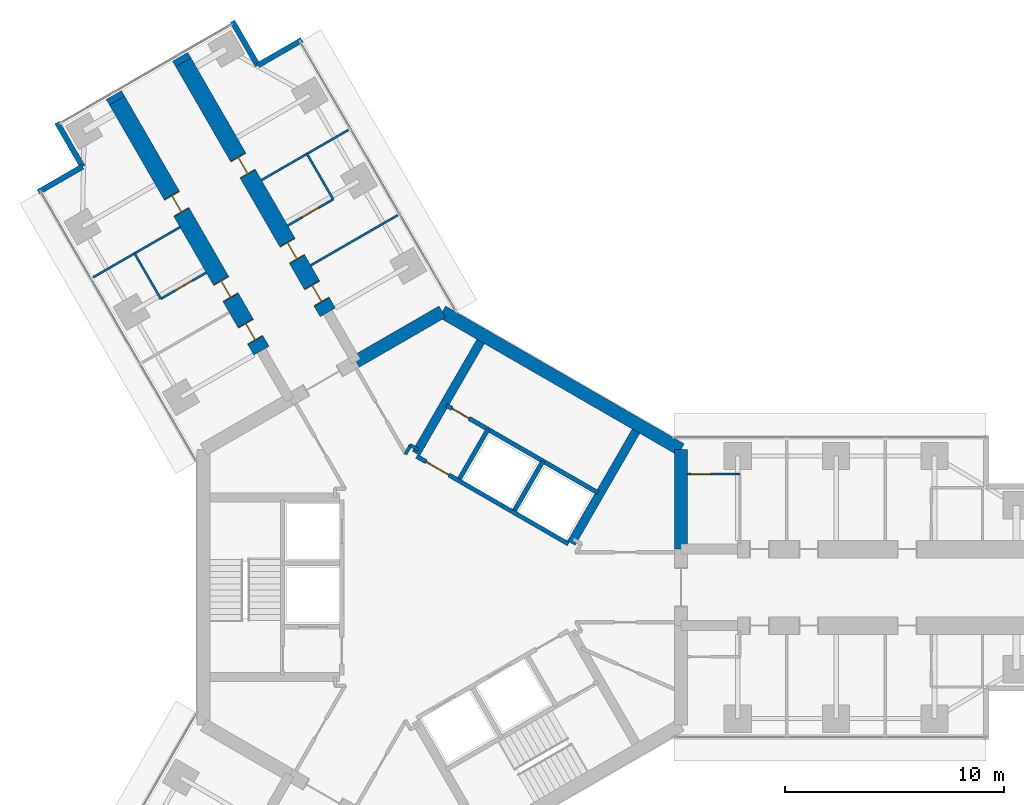
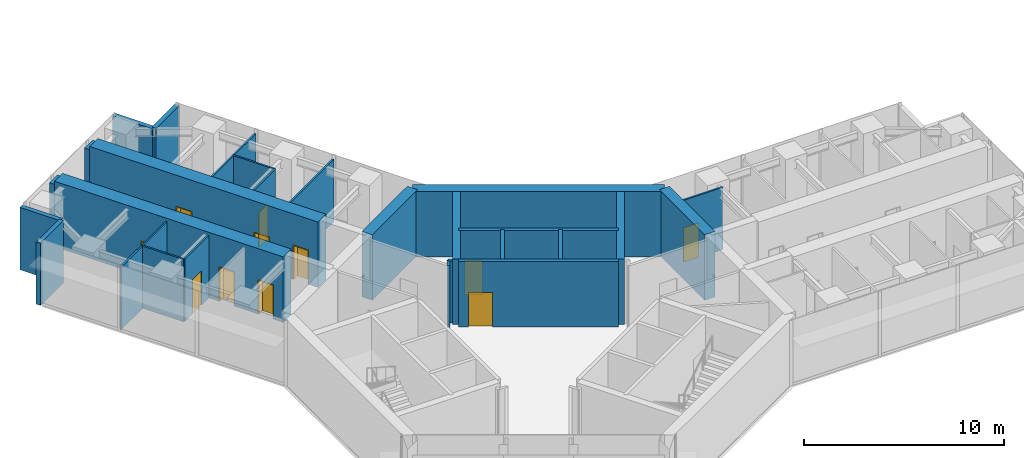
# One storey, part 17 of 23: 27 walls, 11 doors, 11 openings.
"""IFC4 building model written with IfcOpenShell, lengths in metres."""

from ifc_helpers import new_model, si_unit, direction, frame, frame_2d, origin, place, context, subcontext, project, spatial, rectangle, extrude, material, layer, layer_set, type_object, element, fill, save


model = new_model("IFC4")

# Units and contexts
model_context = context("Model", 3, precision=1e-05, world=origin(), true_north=direction((0.0, 1.0)))
body_context = subcontext(model_context, "Body", "Model", "MODEL_VIEW")
ifc_project = project(units=[si_unit("LENGTHUNIT", "METRE"), si_unit("AREAUNIT", "SQUARE_METRE"), si_unit("VOLUMEUNIT", "CUBIC_METRE"), si_unit("PLANEANGLEUNIT", "RADIAN"), si_unit("MASSUNIT", "GRAM", prefix="KILO")], contexts=[model_context])

# Site, building, storey
site_placement = place(None, origin())
site = spatial("IfcSite", under=ifc_project, at=site_placement, CompositionType="ELEMENT")
building_placement = place(site_placement, origin())
building = spatial("IfcBuilding", under=site, at=building_placement, Name="Upepo Twin Towers", CompositionType="ELEMENT")
storey_placement = place(building_placement, frame((0.0, 0.0, 153.5)))
storey = spatial("IfcBuildingStorey", under=building, at=storey_placement, Name="L37", CompositionType="ELEMENT", Elevation=153.5)

# Walls
ifc_material_1 = material(Name="Dense concrete blockwork", Category="masonry")
ifc_layer_1 = layer(ifc_material_1, 0.800048828125)
ifc_layer_set_1 = layer_set([ifc_layer_1], Name="Buttress closer 800, blockwork with fire-stopping to the curtain wall")
wall_type_1 = type_object("IfcWallType", Name="Buttress closer 800, blockwork with fire-stopping to the curtain wall", PredefinedType="PARTITIONING", material=ifc_layer_set_1)
wall_1_placement = place(storey_placement, frame((-14.865478515625, 22.247802734375, 0.0), z_axis=(0.0, 0.0, 1.0), x_axis=(-0.500426713919, 0.865778900179, 0.0)))
element("IfcWall", 1, at=wall_1_placement, inside=storey, type_object=wall_type_1, Name="T1 L37 wing B buttress closer L", PredefinedType="PARTITIONING", context=body_context, shape_type="SweptSolid", body=[
    extrude(rectangle(XDim=0.300048828125, YDim=0.800048828125, at=frame_2d((0.14990234375, 0.0))), origin(), (0.0, 0.0, 1.0), 3.800048828125),
])
wall_2_placement = place(storey_placement, frame((-11.83447265625, 23.997802734375, 0.0), z_axis=(0.0, 0.0, 1.0), x_axis=(-0.499816412211, 0.866131372301, 0.0)))
element("IfcWall", 2, at=wall_2_placement, inside=storey, type_object=wall_type_1, Name="T1 L37 wing B buttress closer R", PredefinedType="PARTITIONING", context=body_context, shape_type="SweptSolid", body=[
    extrude(rectangle(XDim=0.2998046875, YDim=0.800048828125, at=frame_2d((0.14990234375, 0.0))), origin(), (0.0, 0.0, 1.0), 3.800048828125),
])

# Wall, openings, doors
ifc_material_2 = material(Name="Concrete C60/75", Category="concrete")
ifc_layer_2 = layer(ifc_material_2, 0.800048828125)
ifc_layer_set_2 = layer_set([ifc_layer_2], Name="Concrete C60/75")
wall_type_2 = type_object("IfcWallType", Name="Buttress wall 800 RC", PredefinedType="SHEAR", material=ifc_layer_set_2)
wall_3_placement = place(storey_placement, frame((-8.265625, 10.81640625, 0.0), z_axis=(0.0, 0.0, 1.0), x_axis=(-0.499996231654, 0.866027579429, 0.0)))
wall_3 = element("IfcWall", 3, at=wall_3_placement, inside=storey, type_object=wall_type_2, Name="T1 wing B buttress wall L part 2", PredefinedType="SHEAR", context=body_context, shape_type="SweptSolid", body=[
    extrude(rectangle(XDim=13.19970703125, YDim=0.800048828125, at=frame_2d((6.599853515625, 0.0))), origin(), (0.0, 0.0, 1.0), 4.0),
])
opening_1_placement = place(wall_3_placement, frame((0.550048828125, 0.0, 0.0)))
opening_1 = element("IfcOpeningElement", 4, at=opening_1_placement, cuts=wall_3, Name="Opening D14", PredefinedType="OPENING", context=body_context, shape_type="SweptSolid", body=[
    extrude(rectangle(XDim=0.89990234375, YDim=2.10009765625, at=frame_2d((0.449951171875, 1.050048828125))), frame((0.0, 0.409912109375, 0.0), z_axis=(0.0, -1.0, 0.0), x_axis=(1.0, 0.0, 0.0)), (0.0, 0.0, 1.0), 0.820068359375),
])
opening_2_placement = place(wall_3_placement, frame((2.800048828125, 0.0, 0.0)))
opening_2 = element("IfcOpeningElement", 5, at=opening_2_placement, cuts=wall_3, Name="Opening D14", PredefinedType="OPENING", context=body_context, shape_type="SweptSolid", body=[
    extrude(rectangle(XDim=0.89990234375, YDim=2.10009765625, at=frame_2d((0.449951171875, 1.050048828125))), frame((0.0, 0.409912109375, 0.0), z_axis=(0.0, -1.0, 0.0), x_axis=(1.0, 0.0, 0.0)), (0.0, 0.0, 1.0), 0.820068359375),
])
opening_3_placement = place(wall_3_placement, frame((7.300048828125, 0.0, 0.0)))
opening_3 = element("IfcOpeningElement", 6, at=opening_3_placement, cuts=wall_3, Name="Opening D14", PredefinedType="OPENING", context=body_context, shape_type="SweptSolid", body=[
    extrude(rectangle(XDim=0.89990234375, YDim=2.10009765625, at=frame_2d((0.449951171875, 1.050048828125))), frame((0.0, 0.409912109375, 0.0), z_axis=(0.0, -1.0, 0.0), x_axis=(1.0, 0.0, 0.0)), (0.0, 0.0, 1.0), 0.820068359375),
])
ifc_material_3 = material(Name="Timber doorset", Category="wood")
door_type_1 = type_object("IfcDoorType", Name="Office door 900 FD30", OperationType="SINGLE_SWING_LEFT", PredefinedType="DOOR", material=ifc_material_3)
door_1_placement = place(opening_1_placement, origin())
door_1 = element("IfcDoor", 7, at=door_1_placement, inside=storey, type_object=door_type_1, Name="T1 L37 staff office door", OperationType="SINGLE_SWING_LEFT", OverallHeight=2.10009765625, OverallWidth=0.89990234375, PredefinedType="DOOR", context=body_context, shape_type="SweptSolid", body=[
    extrude(rectangle(XDim=0.81990234375, YDim=2.06009765625, at=frame_2d((0.449951171875, 1.030029296875))), frame((0.0, 0.02490234375, 0.0), z_axis=(0.0, -1.0, 0.0), x_axis=(1.0, 0.0, 0.0)), (0.0, 0.0, 1.0), 0.050048828125),
    extrude(rectangle(XDim=0.04, YDim=2.10009765625, at=frame_2d((0.02001953125, 1.050048828125))), frame((0.0, 0.39990234375, 0.0), z_axis=(0.0, -1.0, 0.0), x_axis=(1.0, 0.0, 0.0)), (0.0, 0.0, 1.0), 0.799560546875),
    extrude(rectangle(XDim=0.04, YDim=2.10009765625, at=frame_2d((0.8798828125, 1.050048828125))), frame((0.0, 0.39990234375, 0.0), z_axis=(0.0, -1.0, 0.0), x_axis=(1.0, 0.0, 0.0)), (0.0, 0.0, 1.0), 0.799560546875),
    extrude(rectangle(XDim=0.81990234375, YDim=0.04, at=frame_2d((0.449951171875, 2.080078125))), frame((0.0, 0.39990234375, 0.0), z_axis=(0.0, -1.0, 0.0), x_axis=(1.0, 0.0, 0.0)), (0.0, 0.0, 1.0), 0.799560546875),
])
fill(opening_1, door_1)
door_2_placement = place(opening_2_placement, origin())
door_2 = element("IfcDoor", 8, at=door_2_placement, inside=storey, type_object=door_type_1, Name="T1 L37 postgraduate office door", OperationType="SINGLE_SWING_LEFT", OverallHeight=2.10009765625, OverallWidth=0.89990234375, PredefinedType="DOOR", context=body_context, shape_type="SweptSolid", body=[
    extrude(rectangle(XDim=0.81990234375, YDim=2.06009765625, at=frame_2d((0.449951171875, 1.030029296875))), frame((0.0, 0.02490234375, 0.0), z_axis=(0.0, -1.0, 0.0), x_axis=(1.0, 0.0, 0.0)), (0.0, 0.0, 1.0), 0.050048828125),
    extrude(rectangle(XDim=0.04, YDim=2.10009765625, at=frame_2d((0.02001953125, 1.050048828125))), frame((0.0, 0.39990234375, 0.0), z_axis=(0.0, -1.0, 0.0), x_axis=(1.0, 0.0, 0.0)), (0.0, 0.0, 1.0), 0.799560546875),
    extrude(rectangle(XDim=0.04, YDim=2.10009765625, at=frame_2d((0.8798828125, 1.050048828125))), frame((0.0, 0.39990234375, 0.0), z_axis=(0.0, -1.0, 0.0), x_axis=(1.0, 0.0, 0.0)), (0.0, 0.0, 1.0), 0.799560546875),
    extrude(rectangle(XDim=0.81990234375, YDim=0.04, at=frame_2d((0.449951171875, 2.080078125))), frame((0.0, 0.39990234375, 0.0), z_axis=(0.0, -1.0, 0.0), x_axis=(1.0, 0.0, 0.0)), (0.0, 0.0, 1.0), 0.799560546875),
])
fill(opening_2, door_2)
door_3_placement = place(opening_3_placement, origin())
door_3 = element("IfcDoor", 9, at=door_3_placement, inside=storey, type_object=door_type_1, Name="T1 L37 meeting room door", OperationType="SINGLE_SWING_RIGHT", OverallHeight=2.10009765625, OverallWidth=0.89990234375, PredefinedType="DOOR", context=body_context, shape_type="SweptSolid", body=[
    extrude(rectangle(XDim=0.81990234375, YDim=2.06009765625, at=frame_2d((0.449951171875, 1.030029296875))), frame((0.0, 0.02490234375, 0.0), z_axis=(0.0, -1.0, 0.0), x_axis=(1.0, 0.0, 0.0)), (0.0, 0.0, 1.0), 0.050048828125),
    extrude(rectangle(XDim=0.04, YDim=2.10009765625, at=frame_2d((0.02001953125, 1.050048828125))), frame((0.0, 0.39990234375, 0.0), z_axis=(0.0, -1.0, 0.0), x_axis=(1.0, 0.0, 0.0)), (0.0, 0.0, 1.0), 0.799560546875),
    extrude(rectangle(XDim=0.04, YDim=2.10009765625, at=frame_2d((0.8798828125, 1.050048828125))), frame((0.0, 0.39990234375, 0.0), z_axis=(0.0, -1.0, 0.0), x_axis=(1.0, 0.0, 0.0)), (0.0, 0.0, 1.0), 0.799560546875),
    extrude(rectangle(XDim=0.81990234375, YDim=0.04, at=frame_2d((0.449951171875, 2.080078125))), frame((0.0, 0.39990234375, 0.0), z_axis=(0.0, -1.0, 0.0), x_axis=(1.0, 0.0, 0.0)), (0.0, 0.0, 1.0), 0.799560546875),
])
fill(opening_3, door_3)

wall_4_placement = place(storey_placement, frame((-5.234375, 12.56640625, 0.0), z_axis=(0.0, 0.0, 1.0), x_axis=(-0.500010103361, 0.866019570528, 0.0)))
wall_4 = element("IfcWall", 10, at=wall_4_placement, inside=storey, type_object=wall_type_2, Name="T1 wing B buttress wall R part 2", PredefinedType="SHEAR", context=body_context, shape_type="SweptSolid", body=[
    extrude(rectangle(XDim=13.199951171875, YDim=0.800048828125, at=frame_2d((6.60009765625, 0.0))), origin(), (0.0, 0.0, 1.0), 4.0),
])
opening_4_placement = place(wall_4_placement, frame((0.550048828125, 0.0, 0.0)))
opening_4 = element("IfcOpeningElement", 11, at=opening_4_placement, cuts=wall_4, Name="Opening D14", PredefinedType="OPENING", context=body_context, shape_type="SweptSolid", body=[
    extrude(rectangle(XDim=0.89990234375, YDim=2.10009765625, at=frame_2d((0.449951171875, 1.050048828125))), frame((0.0, 0.409912109375, 0.0), z_axis=(0.0, -1.0, 0.0), x_axis=(1.0, 0.0, 0.0)), (0.0, 0.0, 1.0), 0.820068359375),
])
opening_5_placement = place(wall_4_placement, frame((2.800048828125, 0.0, 0.0)))
opening_5 = element("IfcOpeningElement", 12, at=opening_5_placement, cuts=wall_4, Name="Opening D14", PredefinedType="OPENING", context=body_context, shape_type="SweptSolid", body=[
    extrude(rectangle(XDim=0.89990234375, YDim=2.10009765625, at=frame_2d((0.449951171875, 1.050048828125))), frame((0.0, 0.409912109375, 0.0), z_axis=(0.0, -1.0, 0.0), x_axis=(1.0, 0.0, 0.0)), (0.0, 0.0, 1.0), 0.820068359375),
])
opening_6_placement = place(wall_4_placement, frame((7.300048828125, 0.0, 0.0)))
opening_6 = element("IfcOpeningElement", 13, at=opening_6_placement, cuts=wall_4, Name="Opening D14", PredefinedType="OPENING", context=body_context, shape_type="SweptSolid", body=[
    extrude(rectangle(XDim=0.89990234375, YDim=2.10009765625, at=frame_2d((0.449951171875, 1.050048828125))), frame((0.0, 0.409912109375, 0.0), z_axis=(0.0, -1.0, 0.0), x_axis=(1.0, 0.0, 0.0)), (0.0, 0.0, 1.0), 0.820068359375),
])
door_4_placement = place(opening_4_placement, origin())
door_4 = element("IfcDoor", 14, at=door_4_placement, inside=storey, type_object=door_type_1, Name="T1 L37 staff office door", OperationType="SINGLE_SWING_LEFT", OverallHeight=2.10009765625, OverallWidth=0.89990234375, PredefinedType="DOOR", context=body_context, shape_type="SweptSolid", body=[
    extrude(rectangle(XDim=0.81990234375, YDim=2.06009765625, at=frame_2d((0.449951171875, 1.030029296875))), frame((0.0, 0.02490234375, 0.0), z_axis=(0.0, -1.0, 0.0), x_axis=(1.0, 0.0, 0.0)), (0.0, 0.0, 1.0), 0.050048828125),
    extrude(rectangle(XDim=0.04, YDim=2.10009765625, at=frame_2d((0.02001953125, 1.050048828125))), frame((0.0, 0.39990234375, 0.0), z_axis=(0.0, -1.0, 0.0), x_axis=(1.0, 0.0, 0.0)), (0.0, 0.0, 1.0), 0.799560546875),
    extrude(rectangle(XDim=0.04, YDim=2.10009765625, at=frame_2d((0.8798828125, 1.050048828125))), frame((0.0, 0.39990234375, 0.0), z_axis=(0.0, -1.0, 0.0), x_axis=(1.0, 0.0, 0.0)), (0.0, 0.0, 1.0), 0.799560546875),
    extrude(rectangle(XDim=0.81990234375, YDim=0.04, at=frame_2d((0.449951171875, 2.080078125))), frame((0.0, 0.39990234375, 0.0), z_axis=(0.0, -1.0, 0.0), x_axis=(1.0, 0.0, 0.0)), (0.0, 0.0, 1.0), 0.799560546875),
])
fill(opening_4, door_4)
door_5_placement = place(opening_5_placement, origin())
door_5 = element("IfcDoor", 15, at=door_5_placement, inside=storey, type_object=door_type_1, Name="T1 L37 staff office door", OperationType="SINGLE_SWING_LEFT", OverallHeight=2.10009765625, OverallWidth=0.89990234375, PredefinedType="DOOR", context=body_context, shape_type="SweptSolid", body=[
    extrude(rectangle(XDim=0.81990234375, YDim=2.06009765625, at=frame_2d((0.449951171875, 1.030029296875))), frame((0.0, 0.02490234375, 0.0), z_axis=(0.0, -1.0, 0.0), x_axis=(1.0, 0.0, 0.0)), (0.0, 0.0, 1.0), 0.050048828125),
    extrude(rectangle(XDim=0.04, YDim=2.10009765625, at=frame_2d((0.02001953125, 1.050048828125))), frame((0.0, 0.39990234375, 0.0), z_axis=(0.0, -1.0, 0.0), x_axis=(1.0, 0.0, 0.0)), (0.0, 0.0, 1.0), 0.799560546875),
    extrude(rectangle(XDim=0.04, YDim=2.10009765625, at=frame_2d((0.8798828125, 1.050048828125))), frame((0.0, 0.39990234375, 0.0), z_axis=(0.0, -1.0, 0.0), x_axis=(1.0, 0.0, 0.0)), (0.0, 0.0, 1.0), 0.799560546875),
    extrude(rectangle(XDim=0.81990234375, YDim=0.04, at=frame_2d((0.449951171875, 2.080078125))), frame((0.0, 0.39990234375, 0.0), z_axis=(0.0, -1.0, 0.0), x_axis=(1.0, 0.0, 0.0)), (0.0, 0.0, 1.0), 0.799560546875),
])
fill(opening_5, door_5)
door_6_placement = place(opening_6_placement, origin())
door_6 = element("IfcDoor", 16, at=door_6_placement, inside=storey, type_object=door_type_1, Name="T1 L37 postgraduate office door", OperationType="SINGLE_SWING_RIGHT", OverallHeight=2.10009765625, OverallWidth=0.89990234375, PredefinedType="DOOR", context=body_context, shape_type="SweptSolid", body=[
    extrude(rectangle(XDim=0.81990234375, YDim=2.06009765625, at=frame_2d((0.449951171875, 1.030029296875))), frame((0.0, 0.02490234375, 0.0), z_axis=(0.0, -1.0, 0.0), x_axis=(1.0, 0.0, 0.0)), (0.0, 0.0, 1.0), 0.050048828125),
    extrude(rectangle(XDim=0.04, YDim=2.10009765625, at=frame_2d((0.02001953125, 1.050048828125))), frame((0.0, 0.39990234375, 0.0), z_axis=(0.0, -1.0, 0.0), x_axis=(1.0, 0.0, 0.0)), (0.0, 0.0, 1.0), 0.799560546875),
    extrude(rectangle(XDim=0.04, YDim=2.10009765625, at=frame_2d((0.8798828125, 1.050048828125))), frame((0.0, 0.39990234375, 0.0), z_axis=(0.0, -1.0, 0.0), x_axis=(1.0, 0.0, 0.0)), (0.0, 0.0, 1.0), 0.799560546875),
    extrude(rectangle(XDim=0.81990234375, YDim=0.04, at=frame_2d((0.449951171875, 2.080078125))), frame((0.0, 0.39990234375, 0.0), z_axis=(0.0, -1.0, 0.0), x_axis=(1.0, 0.0, 0.0)), (0.0, 0.0, 1.0), 0.799560546875),
])
fill(opening_6, door_6)

# Walls
ifc_material_4 = material(Name="Concrete C60/75", Category="concrete")
ifc_layer_3 = layer(ifc_material_4, 0.60009765625)
ifc_layer_set_3 = layer_set([ifc_layer_3], Name="Concrete C60/75")
wall_type_3 = type_object("IfcWallType", Name="Core wall 600 RC", PredefinedType="SHEAR", material=ifc_layer_set_3)
wall_5_placement = place(storey_placement, frame((10.908447265625, 1.75, 0.0), z_axis=(0.0, 0.0, 1.0), x_axis=(0.0, 1.0, 0.0)))
element("IfcWall", 17, at=wall_5_placement, inside=storey, type_object=wall_type_3, Name="T1 core wall 000 L", PredefinedType="SHEAR", context=body_context, shape_type="SweptSolid", body=[
    extrude(rectangle(XDim=4.5478515625, YDim=0.60009765625, at=frame_2d((2.27392578125, 0.0))), origin(), (0.0, 0.0, 1.0), 4.0),
])
wall_6_placement = place(storey_placement, frame((10.908447265625, 6.2978515625, 0.0), z_axis=(0.0, 0.0, 1.0), x_axis=(-0.866021940709, 0.500005998175, 0.0)))
element("IfcWall", 18, at=wall_6_placement, inside=storey, type_object=wall_type_3, Name="T1 core wall 060", PredefinedType="SHEAR", context=body_context, shape_type="SweptSolid", body=[
    extrude(rectangle(XDim=12.595947265625, YDim=0.60009765625, at=frame_2d((6.2978515625, 0.0))), origin(), (0.0, 0.0, 1.0), 4.0),
])
wall_7_placement = place(storey_placement, frame((0.0, 12.595947265625, 0.0), z_axis=(0.0, 0.0, 1.0), x_axis=(-0.866011268655, -0.500024481964, 0.0)))
element("IfcWall", 19, at=wall_7_placement, inside=storey, type_object=wall_type_3, Name="T1 core wall 120 R", PredefinedType="SHEAR", context=body_context, shape_type="SweptSolid", body=[
    extrude(rectangle(XDim=4.548095703125, YDim=0.60009765625, at=frame_2d((2.27392578125, 0.0))), origin(), (0.0, 0.0, 1.0), 4.0),
])
ifc_material_5 = material(Name="Blockwork with anodised aluminium cladding", Category="masonry")
ifc_layer_4 = layer(ifc_material_5, 0.25)
ifc_layer_set_4 = layer_set([ifc_layer_4], Name="Notch cladding wall 250, pale metal")
wall_type_4 = type_object("IfcWallType", Name="Notch cladding wall 250, pale metal", PredefinedType="STANDARD", material=ifc_layer_set_4)
for number, where, z_axis, x_axis, name in (
    (20, (-18.456298828125, 18.0673828125, 0.0), (0.0, 0.0, 1.0), (0.865998469481, 0.500046648681, 0.0), "T1 L37 wing B notch wall L1"),
    (21, (-16.44287109375, 19.22998046875, 0.0), (0.0, 0.0, 1.0), (-0.500046648681, 0.865998469481, 0.0), "T1 L37 wing B notch wall L2"),
    (22, (-6.418701171875, 25.017333984375, 0.0), (0.0, 0.0, 1.0), (-0.866043940782, -0.499967891604, 0.0), "T1 L37 wing B notch wall R1"),
    (23, (-8.43212890625, 23.85498046875, 0.0), (0.0, 0.0, 1.0), (-0.500046648681, 0.865998469481, 0.0), "T1 L37 wing B notch wall R2"),
):
    element("IfcWall", number, at=place(storey_placement, frame(where, z_axis=z_axis, x_axis=x_axis)), inside=storey, type_object=wall_type_4, Name=name, PredefinedType="STANDARD", context=body_context, shape_type="SweptSolid", body=[
        extrude(rectangle(XDim=2.324951171875, YDim=0.25, at=frame_2d((1.16259765625, 0.0))), origin(), (0.0, 0.0, 1.0), 3.800048828125),
    ])

# Wall, opening, door
ifc_material_6 = material(Name="Gypsum board on steel studs", Category="steel")
ifc_layer_5 = layer(ifc_material_6, 0.10009765625)
ifc_layer_set_5 = layer_set([ifc_layer_5], Name="Office partition 100 stud")
wall_type_5 = type_object("IfcWallType", Name="Office partition 100 stud", PredefinedType="PARTITIONING", material=ifc_layer_set_5)
wall_8_placement = place(storey_placement, frame((11.2080078125, 5.175048828125, 0.0), z_axis=(0.0, 0.0, 1.0), x_axis=(1.0, 0.0, 0.0)))
wall_8 = element("IfcWall", 24, at=wall_8_placement, inside=storey, type_object=wall_type_5, Name="T1 WC bay partition AL at 11.21", PredefinedType="PARTITIONING", context=body_context, shape_type="SweptSolid", body=[
    extrude(rectangle(XDim=2.39990234375, YDim=0.10009765625, at=frame_2d((1.199951171875, 0.0))), origin(), (0.0, 0.0, 1.0), 3.800048828125),
])
opening_7_placement = place(wall_8_placement, frame((0.14990234375, 0.0, 0.0)))
opening_7 = element("IfcOpeningElement", 25, at=opening_7_placement, cuts=wall_8, Name="Opening D14", PredefinedType="OPENING", context=body_context, shape_type="SweptSolid", body=[
    extrude(rectangle(XDim=0.89990234375, YDim=2.10009765625, at=frame_2d((0.449951171875, 1.050048828125))), frame((0.0, 0.06005859375, 0.0), z_axis=(0.0, -1.0, 0.0), x_axis=(1.0, 0.0, 0.0)), (0.0, 0.0, 1.0), 0.1201171875),
])
door_7_placement = place(opening_7_placement, origin())
door_7 = element("IfcDoor", 26, at=door_7_placement, inside=storey, type_object=door_type_1, Name="T1 L37 WC bay inner room door", OperationType="SINGLE_SWING_LEFT", OverallHeight=2.10009765625, OverallWidth=0.89990234375, PredefinedType="DOOR", context=body_context, shape_type="SweptSolid", body=[
    extrude(rectangle(XDim=0.89990234375, YDim=2.10009765625, at=frame_2d((0.449951171875, 1.050048828125))), frame((0.0, 0.02490234375, 0.0), z_axis=(0.0, -1.0, 0.0), x_axis=(1.0, 0.0, 0.0)), (0.0, 0.0, 1.0), 0.050048828125),
])
fill(opening_7, door_7)

# Walls
wall_9_placement = place(storey_placement, frame((-11.987060546875, 16.4619140625, 0.0), z_axis=(0.0, 0.0, 1.0), x_axis=(-0.866039752405, -0.499975146636, 0.0)))
element("IfcWall", 27, at=wall_9_placement, inside=storey, type_object=wall_type_5, Name="T1 partition BL at 20.25", PredefinedType="PARTITIONING", context=body_context, shape_type="SweptSolid", body=[
    extrude(rectangle(XDim=4.599853515625, YDim=0.10009765625, at=frame_2d((2.2998046875, 0.0))), origin(), (0.0, 0.0, 1.0), 3.800048828125),
])
wall_10_placement = place(storey_placement, frame((-12.865478515625, 13.18359375, 0.0), z_axis=(0.0, 0.0, 1.0), x_axis=(-0.500001309137, 0.866024647952, 0.0)))
element("IfcWall", 28, at=wall_10_placement, inside=storey, type_object=wall_type_5, Name="T1 inner room partition BL at 17.85", PredefinedType="PARTITIONING", context=body_context, shape_type="SweptSolid", body=[
    extrude(rectangle(XDim=2.39990234375, YDim=0.10009765625, at=frame_2d((1.199951171875, 0.0))), origin(), (0.0, 0.0, 1.0), 3.800048828125),
])

# Wall, opening, door
wall_11_placement = place(storey_placement, frame((-10.786865234375, 14.383544921875, 0.0), z_axis=(0.0, 0.0, 1.0), x_axis=(-0.866050077142, -0.499957262057, 0.0)))
wall_11 = element("IfcWall", 29, at=wall_11_placement, inside=storey, type_object=wall_type_5, Name="T1 inner room partition BL end at 17.85", PredefinedType="PARTITIONING", context=body_context, shape_type="SweptSolid", body=[
    extrude(rectangle(XDim=2.400146484375, YDim=0.10009765625, at=frame_2d((1.2001953125, 0.0))), origin(), (0.0, 0.0, 1.0), 3.800048828125),
])
opening_8_placement = place(wall_11_placement, frame((0.75, 0.0, 0.0)))
opening_8 = element("IfcOpeningElement", 30, at=opening_8_placement, cuts=wall_11, Name="Opening D14", PredefinedType="OPENING", context=body_context, shape_type="SweptSolid", body=[
    extrude(rectangle(XDim=0.89990234375, YDim=2.10009765625, at=frame_2d((0.449951171875, 1.050048828125))), frame((0.0, 0.06005859375, 0.0), z_axis=(0.0, -1.0, 0.0), x_axis=(1.0, 0.0, 0.0)), (0.0, 0.0, 1.0), 0.1201171875),
])
door_8_placement = place(opening_8_placement, origin())
door_8 = element("IfcDoor", 31, at=door_8_placement, inside=storey, type_object=door_type_1, Name="T1 L37 inner room door", OperationType="SINGLE_SWING_LEFT", OverallHeight=2.10009765625, OverallWidth=0.89990234375, PredefinedType="DOOR", context=body_context, shape_type="SweptSolid", body=[
    extrude(rectangle(XDim=0.89990234375, YDim=2.10009765625, at=frame_2d((0.449951171875, 1.050048828125))), frame((0.0, 0.02490234375, 0.0), z_axis=(0.0, -1.0, 0.0), x_axis=(1.0, 0.0, 0.0)), (0.0, 0.0, 1.0), 0.050048828125),
])
fill(opening_8, door_8)

# Walls
for number, where, z_axis, x_axis, name in (
    (32, (-6.012939453125, 14.71484375, 0.0), (0.0, 0.0, 1.0), (0.866016770315, 0.500014953309, 0.0), "T1 partition BR at 15.75"),
    (33, (-8.262939453125, 18.612060546875, 0.0), (0.0, 0.0, 1.0), (0.866016770315, 0.500014953309, 0.0), "T1 partition BR at 20.25"),
):
    element("IfcWall", number, at=place(storey_placement, frame(where, z_axis=z_axis, x_axis=x_axis)), inside=storey, type_object=wall_type_5, Name=name, PredefinedType="PARTITIONING", context=body_context, shape_type="SweptSolid", body=[
        extrude(rectangle(XDim=4.599853515625, YDim=0.10009765625, at=frame_2d((2.2998046875, 0.0))), origin(), (0.0, 0.0, 1.0), 3.800048828125),
    ])
wall_12_placement = place(storey_placement, frame((-4.984619140625, 17.733642578125, 0.0), z_axis=(0.0, 0.0, 1.0), x_axis=(-0.500001309137, 0.866024647952, 0.0)))
element("IfcWall", 34, at=wall_12_placement, inside=storey, type_object=wall_type_5, Name="T1 inner room partition BR at 17.85", PredefinedType="PARTITIONING", context=body_context, shape_type="SweptSolid", body=[
    extrude(rectangle(XDim=2.39990234375, YDim=0.10009765625, at=frame_2d((1.199951171875, 0.0))), origin(), (0.0, 0.0, 1.0), 3.800048828125),
])

# Wall, opening, door
wall_13_placement = place(storey_placement, frame((-7.06298828125, 16.533447265625, 0.0), z_axis=(0.0, 0.0, 1.0), x_axis=(0.865980596518, 0.500077600433, 0.0)))
wall_13 = element("IfcWall", 35, at=wall_13_placement, inside=storey, type_object=wall_type_5, Name="T1 inner room partition BR end at 17.85", PredefinedType="PARTITIONING", context=body_context, shape_type="SweptSolid", body=[
    extrude(rectangle(XDim=2.39990234375, YDim=0.10009765625, at=frame_2d((1.199951171875, 0.0))), origin(), (0.0, 0.0, 1.0), 3.800048828125),
])
opening_9_placement = place(wall_13_placement, frame((0.75, 0.0, 0.0)))
opening_9 = element("IfcOpeningElement", 36, at=opening_9_placement, cuts=wall_13, Name="Opening D14", PredefinedType="OPENING", context=body_context, shape_type="SweptSolid", body=[
    extrude(rectangle(XDim=0.89990234375, YDim=2.10009765625, at=frame_2d((0.449951171875, 1.050048828125))), frame((0.0, 0.06005859375, 0.0), z_axis=(0.0, -1.0, 0.0), x_axis=(1.0, 0.0, 0.0)), (0.0, 0.0, 1.0), 0.1201171875),
])
door_9_placement = place(opening_9_placement, origin())
door_9 = element("IfcDoor", 37, at=door_9_placement, inside=storey, type_object=door_type_1, Name="T1 L37 inner room door", OperationType="SINGLE_SWING_LEFT", OverallHeight=2.10009765625, OverallWidth=0.89990234375, PredefinedType="DOOR", context=body_context, shape_type="SweptSolid", body=[
    extrude(rectangle(XDim=0.89990234375, YDim=2.10009765625, at=frame_2d((0.449951171875, 1.050048828125))), frame((0.0, 0.02490234375, 0.0), z_axis=(0.0, -1.0, 0.0), x_axis=(1.0, 0.0, 0.0)), (0.0, 0.0, 1.0), 0.050048828125),
])
fill(opening_9, door_9)

ifc_material_7 = material(Name="Concrete C40/50", Category="concrete")
ifc_layer_6 = layer(ifc_material_7, 0.199951171875)
ifc_layer_set_6 = layer_set([ifc_layer_6], Name="Concrete C40/50")
wall_type_6 = type_object("IfcWallType", Name="Shaft wall 200 RC", PredefinedType="SHEAR", material=ifc_layer_set_6)
wall_14_placement = place(storey_placement, frame((5.76416015625, 1.983642578125, 0.0), z_axis=(0.0, 0.0, 1.0), x_axis=(-0.866026010844, 0.49999894854, 0.0)))
wall_14 = element("IfcWall", 38, at=wall_14_placement, inside=storey, type_object=wall_type_6, Name="T1 core W60 front wall", PredefinedType="SHEAR", context=body_context, shape_type="SweptSolid", body=[
    extrude(rectangle(XDim=8.0, YDim=0.199951171875, at=frame_2d((4.0, 0.0))), origin(), (0.0, 0.0, 1.0), 4.0),
])
opening_10_placement = place(wall_14_placement, frame((6.300048828125, 0.0, 0.0)))
opening_10 = element("IfcOpeningElement", 39, at=opening_10_placement, cuts=wall_14, Name="Opening D4", PredefinedType="OPENING", context=body_context, shape_type="SweptSolid", body=[
    extrude(rectangle(XDim=1.199951171875, YDim=2.10009765625, at=frame_2d((0.60009765625, 1.050048828125))), frame((0.0, 0.10986328125, 0.0), z_axis=(0.0, -1.0, 0.0), x_axis=(1.0, 0.0, 0.0)), (0.0, 0.0, 1.0), 0.219970703125),
])
ifc_material_8 = material(Name="Timber doorset", Category="wood")
door_type_2 = type_object("IfcDoorType", Name="Lobby door 1200 FD60", OperationType="SINGLE_SWING_LEFT", PredefinedType="DOOR", material=ifc_material_8)
door_10_placement = place(opening_10_placement, origin())
door_10 = element("IfcDoor", 40, at=door_10_placement, inside=storey, type_object=door_type_2, Name="T1 L37 W60 lobby door", OperationType="SINGLE_SWING_RIGHT", OverallHeight=2.10009765625, OverallWidth=1.199951171875, PredefinedType="DOOR", context=body_context, shape_type="SweptSolid", body=[
    extrude(rectangle(XDim=1.199951171875, YDim=2.10009765625, at=frame_2d((0.60009765625, 1.050048828125))), frame((0.0, 0.02490234375, 0.0), z_axis=(0.0, -1.0, 0.0), x_axis=(1.0, 0.0, 0.0)), (0.0, 0.0, 1.0), 0.050048828125),
])
fill(opening_10, door_10)

# Walls
for number, where, z_axis, x_axis, name in (
    (41, (3.302734375, 3.520263671875, 0.0), (0.0, 0.0, 1.0), (0.499936506574, 0.866062058628, 0.0), "T1 core W60 shaft divider"),
    (42, (0.791259765625, 4.97021484375, 0.0), (0.0, 0.0, 1.0), (0.499936506574, 0.866062058628, 0.0), "T1 core W60 lobby wall"),
):
    element("IfcWall", number, at=place(storey_placement, frame(where, z_axis=z_axis, x_axis=x_axis)), inside=storey, type_object=wall_type_6, Name=name, PredefinedType="SHEAR", context=body_context, shape_type="SweptSolid", body=[
        extrude(rectangle(XDim=2.599853515625, YDim=0.199951171875, at=frame_2d((1.2998046875, 0.0))), origin(), (0.0, 0.0, 1.0), 4.0),
    ])

# Wall, opening, door
wall_15_placement = place(storey_placement, frame((7.114013671875, 4.322021484375, 0.0), z_axis=(0.0, 0.0, 1.0), x_axis=(-0.866026010844, 0.49999894854, 0.0)))
wall_15 = element("IfcWall", 43, at=wall_15_placement, inside=storey, type_object=wall_type_6, Name="T1 core W60 stair wall", PredefinedType="SHEAR", context=body_context, shape_type="SweptSolid", body=[
    extrude(rectangle(XDim=8.0, YDim=0.199951171875, at=frame_2d((4.0, 0.0))), origin(), (0.0, 0.0, 1.0), 4.0),
])
opening_11_placement = place(wall_15_placement, frame((6.800048828125, 0.0, 0.0)))
opening_11 = element("IfcOpeningElement", 44, at=opening_11_placement, cuts=wall_15, Name="Opening D9", PredefinedType="OPENING", context=body_context, shape_type="SweptSolid", body=[
    extrude(rectangle(XDim=0.89990234375, YDim=2.10009765625, at=frame_2d((0.449951171875, 1.050048828125))), frame((0.0, 0.10986328125, 0.0), z_axis=(0.0, -1.0, 0.0), x_axis=(1.0, 0.0, 0.0)), (0.0, 0.0, 1.0), 0.219970703125),
])
ifc_material_9 = material(Name="Timber doorset", Category="wood")
door_type_3 = type_object("IfcDoorType", Name="Riser door 900 FD60", OperationType="SINGLE_SWING_LEFT", PredefinedType="DOOR", material=ifc_material_9)
door_11_placement = place(opening_11_placement, origin())
door_11 = element("IfcDoor", 45, at=door_11_placement, inside=storey, type_object=door_type_3, Name="T1 L37 riser door", OperationType="SINGLE_SWING_RIGHT", OverallHeight=2.10009765625, OverallWidth=0.89990234375, PredefinedType="DOOR", context=body_context, shape_type="SweptSolid", body=[
    extrude(rectangle(XDim=0.89990234375, YDim=2.10009765625, at=frame_2d((0.449951171875, 1.050048828125))), frame((0.0, 0.02490234375, 0.0), z_axis=(0.0, -1.0, 0.0), x_axis=(1.0, 0.0, 0.0)), (0.0, 0.0, 1.0), 0.050048828125),
])
fill(opening_11, door_11)

# Walls
ifc_material_10 = material(Name="Concrete C40/50", Category="concrete")
ifc_layer_7 = layer(ifc_material_10, 0.39990234375)
ifc_layer_set_7 = layer_set([ifc_layer_7], Name="Concrete C40/50")
wall_type_7 = type_object("IfcWallType", Name="Shaft wall 400 RC", PredefinedType="SHEAR", material=ifc_layer_set_7)
wall_16_placement = place(storey_placement, frame((-1.20068359375, 6.120361328125, 0.0), z_axis=(0.0, 0.0, 1.0), x_axis=(0.49999668571, 0.866027317282, 0.0)))
element("IfcWall", 46, at=wall_16_placement, inside=storey, type_object=wall_type_7, Name="T1 core W60 side wall N", PredefinedType="SHEAR", context=body_context, shape_type="SweptSolid", body=[
    extrude(rectangle(XDim=5.908203125, YDim=0.39990234375, at=frame_2d((2.9541015625, 0.0))), origin(), (0.0, 0.0, 1.0), 4.0),
])
wall_17_placement = place(storey_placement, frame((5.900634765625, 2.020263671875, 0.0), z_axis=(0.0, 0.0, 1.0), x_axis=(0.500027676417, 0.866009424208, 0.0)))
element("IfcWall", 47, at=wall_17_placement, inside=storey, type_object=wall_type_7, Name="T1 core W60 side wall S", PredefinedType="SHEAR", context=body_context, shape_type="SweptSolid", body=[
    extrude(rectangle(XDim=5.908447265625, YDim=0.39990234375, at=frame_2d((2.9541015625, 0.0))), origin(), (0.0, 0.0, 1.0), 4.0),
])
ifc_material_11 = material(Name="Gypsum board on steel studs", Category="steel")
ifc_layer_8 = layer(ifc_material_11, 0.14990234375)
ifc_layer_set_8 = layer_set([ifc_layer_8], Name="Teaching partition 150 acoustic")
wall_type_8 = type_object("IfcWallType", Name="Teaching partition 150 acoustic", PredefinedType="PARTITIONING", material=ifc_layer_set_8)
wall_18_placement = place(storey_placement, frame((-1.684326171875, 6.082763671875, 0.0), z_axis=(0.0, 0.0, 1.0), x_axis=(0.50033519877, 0.865831790172, 0.0)))
element("IfcWall", 48, at=wall_18_placement, inside=storey, type_object=wall_type_8, Name="T1 core room partition 12", PredefinedType="PARTITIONING", context=body_context, shape_type="SweptSolid", body=[
    extrude(rectangle(XDim=0.494384765625, YDim=0.14990234375, at=frame_2d((0.2470703125, 0.0))), origin(), (0.0, 0.0, 1.0), 3.800048828125),
])
wall_19_placement = place(storey_placement, frame((-1.46435546875, 6.50341796875, 0.0), z_axis=(0.0, 0.0, 1.0), x_axis=(0.866138304741, -0.499804398801, 0.0)))
element("IfcWall", 49, at=wall_19_placement, inside=storey, type_object=wall_type_8, Name="T1 core room partition 13", PredefinedType="PARTITIONING", context=body_context, shape_type="SweptSolid", body=[
    extrude(rectangle(XDim=0.429931640625, YDim=0.14990234375, at=frame_2d((0.21484375, 0.0))), origin(), (0.0, 0.0, 1.0), 3.800048828125),
])

save(model, "model.ifc")
